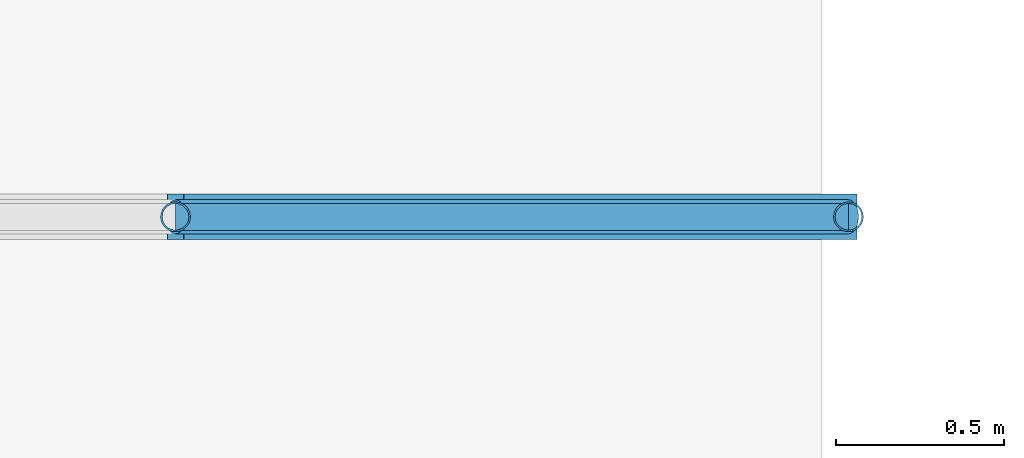
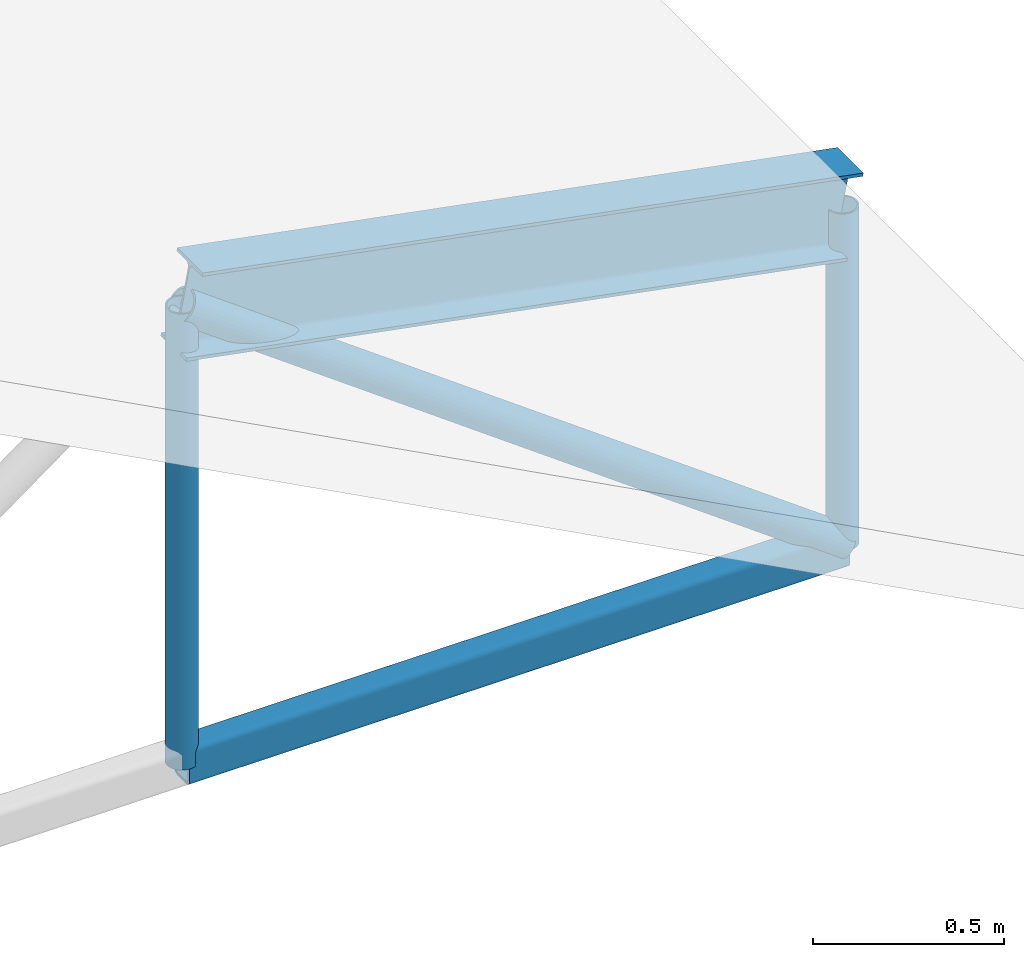
# One storey, part 17 of 54: 5 members.
"""IFC4 building model written with IfcOpenShell, lengths in metres."""

from ifc_helpers import new_model, si_unit, derived_unit, direction, frame, origin, origin_2d, place, context, subcontext, project, spatial, hollow_rectangle, hollow_circle, i_section, extrude, material, material_profile, profile_set, type_object, element, save


model = new_model("IFC4")

# Units and contexts
model_context = context("Model", 3, precision=1e-05, world=origin(), true_north=direction((0.0, 1.0)))
body_context = subcontext(model_context, "Body", "Model", "MODEL_VIEW")
ifc_project = project(units=[si_unit("LENGTHUNIT", "METRE"), si_unit("AREAUNIT", "SQUARE_METRE"), si_unit("VOLUMEUNIT", "CUBIC_METRE"), si_unit("PLANEANGLEUNIT", "RADIAN"), si_unit("MASSUNIT", "GRAM", prefix="KILO"), derived_unit("THERMALTRANSMITTANCEUNIT", [(si_unit("POWERUNIT", "WATT"), 1), (si_unit("LENGTHUNIT", "METRE"), -2), (si_unit("THERMODYNAMICTEMPERATUREUNIT", "KELVIN"), -1)])], contexts=[model_context])

# Site, building, storey
site_placement = place(None, origin())
site = spatial("IfcSite", under=ifc_project, at=site_placement, CompositionType="ELEMENT")
building_placement = place(site_placement, origin())
building = spatial("IfcBuilding", under=site, at=building_placement, Name="Keldorne Ridge Multi-Sports Centre", CompositionType="ELEMENT")
storey_placement = place(building_placement, frame((0.0, 0.0, 22.199951171875)))
storey = spatial("IfcBuildingStorey", under=building, at=storey_placement, Name="ROOF", CompositionType="ELEMENT", Elevation=22.199951171875)

# Members
ifc_material = material(Name="Steel S355", Category="steel")
ifc_material_profile_1 = material_profile(ifc_material, i_section(OverallWidth=0.135009765625, OverallDepth=0.27001953125, WebThickness=0.006591796875, FlangeThickness=0.01025390625, FilletRadius=0.014892578125, at=origin_2d()), Name="IPE 270")
ifc_profile_set_1 = profile_set([ifc_material_profile_1], Name="Steel S355")
member_type_1 = type_object("IfcMemberType", Name="MEM-RF-02", PredefinedType="RAFTER", material=ifc_profile_set_1)
member_1_placement = place(storey_placement, frame((94.0, 30.0, -12.260009765625), z_axis=(0.982435006317, 0.0, -0.186605086649), x_axis=(0.0, 1.0, 0.0)))
element("IfcMember", 1, at=member_1_placement, inside=storey, type_object=member_type_1, Name="Public Passage bowstring arch top chord 04.6", PredefinedType="RAFTER", context=body_context, shape_type="SweptSolid", body=[
    extrude(i_section(OverallWidth=0.135009765625, OverallDepth=0.27001953125, WebThickness=0.006591796875, FlangeThickness=0.01025390625, FilletRadius=0.014892578125, at=origin_2d()), origin(), (0.0, 0.0, 1.0), 2.03564453125),
])
ifc_material_profile_2 = material_profile(ifc_material, hollow_rectangle(XDim=0.080078125, YDim=0.1201171875, WallThickness=0.008056640625, InnerFilletRadius=0.008056640625, OuterFilletRadius=0.01611328125, at=origin_2d()), Name="RHS 120x80x8")
ifc_profile_set_2 = profile_set([ifc_material_profile_2], Name="Steel S355")
member_type_2 = type_object("IfcMemberType", Name="MEM-TC-07", PredefinedType="CHORD", material=ifc_profile_set_2)
member_2_placement = place(storey_placement, frame((94.0, 30.0, -13.719970703125), z_axis=(1.0, 0.0, 0.0), x_axis=(0.0, 1.0, 0.0)))
element("IfcMember", 2, at=member_2_placement, inside=storey, type_object=member_type_2, Name="Public Passage bowstring tie chord 04.6", PredefinedType="CHORD", context=body_context, shape_type="SweptSolid", body=[
    extrude(hollow_rectangle(XDim=0.080078125, YDim=0.1201171875, WallThickness=0.008056640625, InnerFilletRadius=0.008056640625, OuterFilletRadius=0.01611328125, at=origin_2d()), origin(), (0.0, 0.0, 1.0), 2.0),
])
ifc_material_profile_3 = material_profile(ifc_material, hollow_circle(Radius=0.05078125, WallThickness=0.00634765625, at=origin_2d()), Name="CHS 101.6x6.3")
ifc_profile_set_3 = profile_set([ifc_material_profile_3], Name="Steel S355")
member_type_3 = type_object("IfcMemberType", Name="MEM-TD-05", PredefinedType="BRACE", material=ifc_profile_set_3)
member_3_placement = place(storey_placement, frame((94.0, 30.0, -12.260009765625), z_axis=(0.8076945033, 0.0, -0.589601212125), x_axis=(0.0, 1.0, 0.0)))
element("IfcMember", 3, at=member_3_placement, inside=storey, type_object=member_type_3, Name="Public Passage bowstring web diagonal 04.6", PredefinedType="BRACE", context=body_context, shape_type="SweptSolid", body=[
    extrude(hollow_circle(Radius=0.05078125, WallThickness=0.00634765625, at=origin_2d()), origin(), (0.0, 0.0, 1.0), 2.47607421875),
])
ifc_material_profile_4 = material_profile(ifc_material, hollow_circle(Radius=0.04443359375, WallThickness=0.0048828125, at=origin_2d()), Name="CHS 88.9x5")
ifc_profile_set_4 = profile_set([ifc_material_profile_4], Name="Steel S355")
member_type_4 = type_object("IfcMemberType", Name="MEM-TV-07", PredefinedType="STRUT", material=ifc_profile_set_4)
member_4_placement = place(storey_placement, frame((94.0, 30.0, -13.719970703125), z_axis=(0.0, 0.0, 1.0), x_axis=(1.0, 0.0, 0.0)))
element("IfcMember", 4, at=member_4_placement, inside=storey, type_object=member_type_4, Name="Public Passage bowstring hanger 04.6", PredefinedType="STRUT", context=body_context, shape_type="SweptSolid", body=[
    extrude(hollow_circle(Radius=0.04443359375, WallThickness=0.0048828125, at=origin_2d()), origin(), (0.0, 0.0, 1.0), 1.4599609375),
])
member_5_placement = place(storey_placement, frame((96.0, 30.0, -13.719970703125), z_axis=(0.0, 0.0, 1.0), x_axis=(1.0, 0.0, 0.0)))
element("IfcMember", 5, at=member_5_placement, inside=storey, type_object=member_type_4, Name="Public Passage bowstring hanger 04.7", PredefinedType="STRUT", context=body_context, shape_type="SweptSolid", body=[
    extrude(hollow_circle(Radius=0.04443359375, WallThickness=0.0048828125, at=origin_2d()), origin(), (0.0, 0.0, 1.0), 1.080078125),
])

save(model, "model.ifc")
